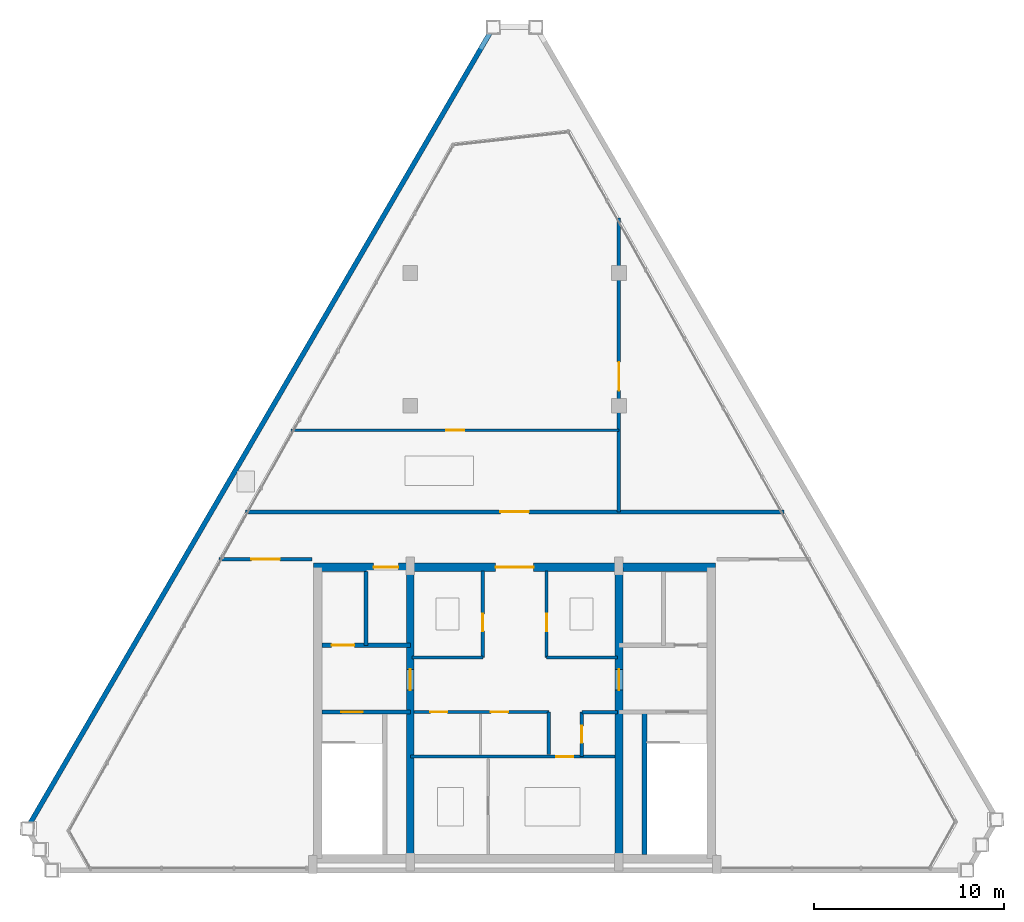
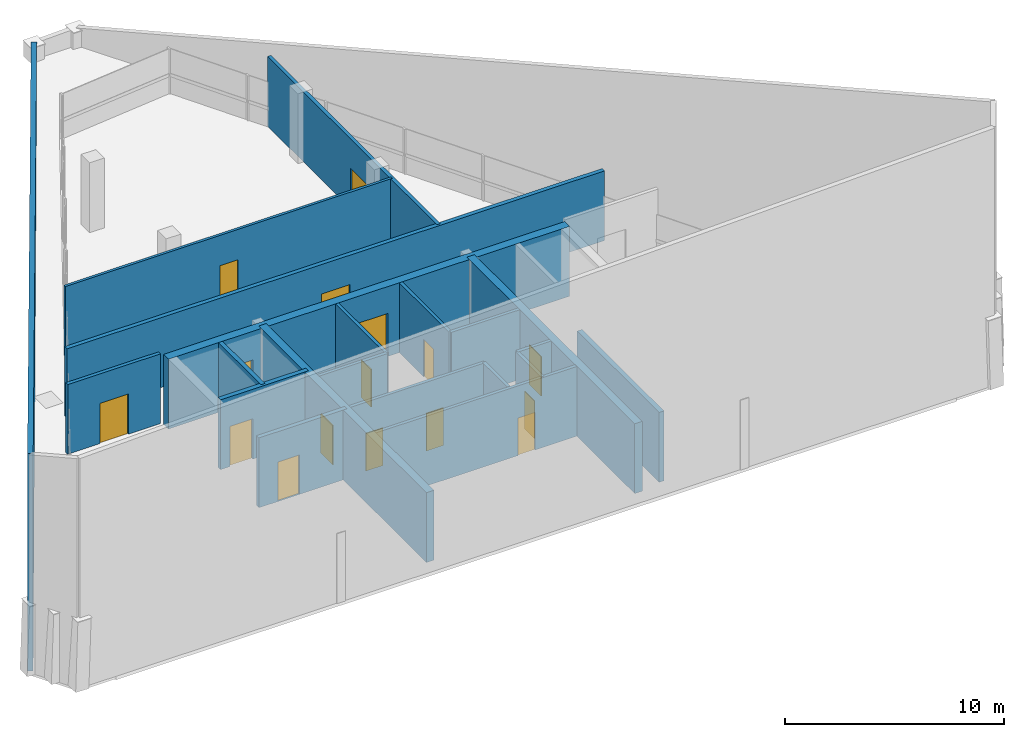
# One storey, part 6 of 8: 21 walls, 16 doors, 16 openings.
"""IFC4 building model written with IfcOpenShell, lengths in metres."""

from ifc_helpers import new_model, si_unit, direction, frame, frame_2d, origin, place, context, subcontext, project, spatial, polyline, rectangle, outline, extrude, source, transform, mapped, material, layer, layer_set, type_object, type_shapes, element, fill, save


model = new_model("IFC4")

# Units and contexts
model_context = context("Model", 3, precision=1e-05, world=origin(), true_north=direction((0.0, 1.0)))
body_context = subcontext(model_context, "Body", "Model", "MODEL_VIEW")
ifc_project = project(units=[si_unit("LENGTHUNIT", "METRE"), si_unit("AREAUNIT", "SQUARE_METRE"), si_unit("VOLUMEUNIT", "CUBIC_METRE"), si_unit("PLANEANGLEUNIT", "RADIAN"), si_unit("MASSUNIT", "GRAM", prefix="KILO")], contexts=[model_context])

# Site, building, storey
site_placement = place(None, origin())
site = spatial("IfcSite", under=ifc_project, at=site_placement, CompositionType="ELEMENT")
building_placement = place(site_placement, origin())
building = spatial("IfcBuilding", under=site, at=building_placement, Name="Varnakhor Terracotta Tower", CompositionType="ELEMENT")
storey_placement = place(building_placement, frame((0.0, 0.0, 329.199951171875)))
storey = spatial("IfcBuildingStorey", under=building, at=storey_placement, Name="L86 Crown", CompositionType="ELEMENT", Elevation=329.199951171875)

# Wall, openings, doors
ifc_material_1 = material(Name="Concrete C50/60", Category="concrete")
ifc_layer_1 = layer(ifc_material_1, 0.449951171875, Name="Concrete C50/60")
ifc_layer_set_1 = layer_set([ifc_layer_1], Name="Concrete C50/60")
wall_type_1 = type_object("IfcWallType", Name="WAL-CORE-450", PredefinedType="SHEAR", material=ifc_layer_set_1)
wall_1_placement = place(storey_placement, frame((-10.60009765625, 15.97509765625, 0.0), z_axis=(0.0, 0.0, 1.0), x_axis=(1.0, 0.0, 0.0)))
wall_1 = element("IfcWall", 1, at=wall_1_placement, inside=storey, type_object=wall_type_1, Name="L86 Crown North Core Shear Wall", PredefinedType="SHEAR", context=body_context, shape_type="SweptSolid", body=[
    extrude(rectangle(XDim=21.2001953125, YDim=0.449951171875, at=frame_2d((10.60009765625, 0.0))), origin(), (0.0, 0.0, 1.0), 3.900146484375),
])
opening_1_placement = place(wall_1_placement, frame((3.169921875, 0.0, 0.0)))
opening_1 = element("IfcOpeningElement", 2, at=opening_1_placement, cuts=wall_1, Name="Opening LD-03", PredefinedType="OPENING", context=body_context, shape_type="SweptSolid", body=[
    extrude(rectangle(XDim=1.300048828125, YDim=2.300048828125, at=frame_2d((0.64990234375, 1.14990234375))), frame((0.0, 0.23486328125, 0.0), z_axis=(0.0, -1.0, 0.0), x_axis=(1.0, 0.0, 0.0)), (0.0, 0.0, 1.0), 0.469970703125),
])
opening_2_placement = place(wall_1_placement, frame((9.60009765625, 0.0, 0.0)))
opening_2 = element("IfcOpeningElement", 3, at=opening_2_placement, cuts=wall_1, Name="Opening DR-32", PredefinedType="OPENING", context=body_context, shape_type="SweptSolid", body=[
    extrude(rectangle(XDim=2.0, YDim=2.39990234375, at=frame_2d((1.0, 1.199951171875))), frame((0.0, 0.23486328125, 0.0), z_axis=(0.0, -1.0, 0.0), x_axis=(1.0, 0.0, 0.0)), (0.0, 0.0, 1.0), 0.469970703125),
])
ifc_material_2 = material(Name="Heavy-Duty Goods Sliding Lift Landing Door", Category="steel")
door_type_1 = type_object("IfcDoorType", Name="LD-SRV-1300X2300", OperationType="NOTDEFINED", PredefinedType="DOOR", material=ifc_material_2)
shared_shape_1 = source(origin(), body_context, "Body", "SweptSolid", [
    extrude(rectangle(XDim=1.300048828125, YDim=2.300048828125, at=frame_2d((0.64990234375, 1.14990234375))), frame((0.0, 0.02490234375, 0.0), z_axis=(0.0, -1.0, 0.0), x_axis=(1.0, 0.0, 0.0)), (0.0, 0.0, 1.0), 0.050048828125),
])
type_shapes(door_type_1, [shared_shape_1])
door_1_placement = place(opening_1_placement, origin())
door_1 = element("IfcDoor", 4, at=door_1_placement, inside=storey, type_object=door_type_1, Name="L86 Crown Service Lift SVL-1 Landing Door", OperationType="SLIDING_TO_RIGHT", OverallHeight=2.300048828125, OverallWidth=1.300048828125, PredefinedType="DOOR", context=body_context, shape_type="MappedRepresentation", body=[
    mapped(shared_shape_1, transform((0.0, 0.0, 0.0), scale=1.0)),
])
fill(opening_1, door_1)
ifc_material_3 = material(Name="Acoustic Double Assembly Fire Door", Category="wood")
door_type_2 = type_object("IfcDoorType", Name="DR-HALL-2000X2400", OperationType="NOTDEFINED", PredefinedType="DOOR", material=ifc_material_3)
shared_shape_2 = source(origin(), body_context, "Body", "SweptSolid", [
    extrude(rectangle(XDim=2.0, YDim=2.39990234375, at=frame_2d((1.0, 1.199951171875))), frame((0.0, 0.02490234375, 0.0), z_axis=(0.0, -1.0, 0.0), x_axis=(1.0, 0.0, 0.0)), (0.0, 0.0, 1.0), 0.050048828125),
])
type_shapes(door_type_2, [shared_shape_2])
door_2_placement = place(opening_2_placement, origin())
door_2 = element("IfcDoor", 5, at=door_2_placement, inside=storey, type_object=door_type_2, Name="L86 Crown Core Main Lobby Double Door", OperationType="DOUBLE_DOOR_SINGLE_SWING", OverallHeight=2.39990234375, OverallWidth=2.0, PredefinedType="DOOR", context=body_context, shape_type="MappedRepresentation", body=[
    mapped(shared_shape_2, transform((0.0, 0.0, 0.0), scale=1.0)),
])
fill(opening_2, door_2)

# Wall, opening, door
ifc_layer_2 = layer(ifc_material_1, 0.39990234375, Name="Concrete C50/60")
ifc_layer_set_2 = layer_set([ifc_layer_2], Name="Concrete C50/60")
wall_type_2 = type_object("IfcWallType", Name="WAL-CORE-WEB-400", PredefinedType="SHEAR", material=ifc_layer_set_2)
wall_2_placement = place(storey_placement, frame((-5.5, 0.625, 0.0), z_axis=(0.0, 0.0, 1.0), x_axis=(0.0, 1.0, 0.0)))
wall_2 = element("IfcWall", 6, at=wall_2_placement, inside=storey, type_object=wall_type_2, Name="L86 Crown West Core Web Shear Wall", PredefinedType="SHEAR", context=body_context, shape_type="SweptSolid", body=[
    extrude(rectangle(XDim=15.35009765625, YDim=0.39990234375, at=frame_2d((7.675048828125, 0.0))), origin(), (0.0, 0.0, 1.0), 3.900146484375),
])
opening_3_placement = place(wall_2_placement, frame((8.875, 0.0, 0.0)))
opening_3 = element("IfcOpeningElement", 7, at=opening_3_placement, cuts=wall_2, Name="Opening DR-25", PredefinedType="OPENING", context=body_context, shape_type="SweptSolid", body=[
    extrude(rectangle(XDim=1.10009765625, YDim=2.199951171875, at=frame_2d((0.550048828125, 1.10009765625))), frame((0.0, 0.2099609375, 0.0), z_axis=(0.0, -1.0, 0.0), x_axis=(1.0, 0.0, 0.0)), (0.0, 0.0, 1.0), 0.419921875),
])
ifc_material_4 = material(Name="Firefighting Lobby Self-Closing Fire Door", Category="steel")
door_type_3 = type_object("IfcDoorType", Name="DR-FFL-1100X2200", OperationType="NOTDEFINED", PredefinedType="DOOR", material=ifc_material_4)
shared_shape_3 = source(origin(), body_context, "Body", "SweptSolid", [
    extrude(rectangle(XDim=1.10009765625, YDim=2.199951171875, at=frame_2d((0.550048828125, 1.10009765625))), frame((0.0, 0.02490234375, 0.0), z_axis=(0.0, -1.0, 0.0), x_axis=(1.0, 0.0, 0.0)), (0.0, 0.0, 1.0), 0.050048828125),
])
type_shapes(door_type_3, [shared_shape_3])
door_3_placement = place(opening_3_placement, origin())
door_3 = element("IfcDoor", 8, at=door_3_placement, inside=storey, type_object=door_type_3, Name="L86 Crown West Firefighting Lobby Door", OperationType="SINGLE_SWING_RIGHT", OverallHeight=2.199951171875, OverallWidth=1.10009765625, PredefinedType="DOOR", context=body_context, shape_type="MappedRepresentation", body=[
    mapped(shared_shape_3, transform((0.0, 0.0, 0.0), scale=1.0)),
])
fill(opening_3, door_3)

wall_3_placement = place(storey_placement, frame((5.5, 0.625, 0.0), z_axis=(0.0, 0.0, 1.0), x_axis=(0.0, 1.0, 0.0)))
wall_3 = element("IfcWall", 9, at=wall_3_placement, inside=storey, type_object=wall_type_2, Name="L86 Crown East Core Web Shear Wall", PredefinedType="SHEAR", context=body_context, shape_type="SweptSolid", body=[
    extrude(rectangle(XDim=15.35009765625, YDim=0.39990234375, at=frame_2d((7.675048828125, 0.0))), origin(), (0.0, 0.0, 1.0), 3.900146484375),
])
opening_4_placement = place(wall_3_placement, frame((8.875, 0.0, 0.0)))
opening_4 = element("IfcOpeningElement", 10, at=opening_4_placement, cuts=wall_3, Name="Opening DR-25", PredefinedType="OPENING", context=body_context, shape_type="SweptSolid", body=[
    extrude(rectangle(XDim=1.10009765625, YDim=2.199951171875, at=frame_2d((0.550048828125, 1.10009765625))), frame((0.0, 0.2099609375, 0.0), z_axis=(0.0, -1.0, 0.0), x_axis=(1.0, 0.0, 0.0)), (0.0, 0.0, 1.0), 0.419921875),
])
door_4_placement = place(opening_4_placement, origin())
door_4 = element("IfcDoor", 11, at=door_4_placement, inside=storey, type_object=door_type_3, Name="L86 Crown East Firefighting Lobby Door", OperationType="SINGLE_SWING_RIGHT", OverallHeight=2.199951171875, OverallWidth=1.10009765625, PredefinedType="DOOR", context=body_context, shape_type="MappedRepresentation", body=[
    mapped(shared_shape_3, transform((0.0, 0.0, 0.0), scale=1.0)),
])
fill(opening_4, door_4)

ifc_material_5 = material(Name="Fire-Rated Gypsum Stud Partition", Category="gypsum")
ifc_layer_3 = layer(ifc_material_5, 0.18505859375, Name="Fire-Rated Gypsum Stud Partition")
ifc_layer_set_3 = layer_set([ifc_layer_3], Name="Fire-Rated Gypsum Stud Partition")
wall_type_3 = type_object("IfcWallType", Name="WAL-CORR-185", PredefinedType="PARTITIONING", material=ifc_layer_set_3)
wall_4_placement = place(storey_placement, frame((-15.59130859375, 16.39990234375, 0.0), z_axis=(0.0, 0.0, 1.0), x_axis=(1.0, 0.0, 0.0)))
wall_4 = element("IfcWall", 12, at=wall_4_placement, inside=storey, type_object=wall_type_3, Name="L86 Crown West Plant Wall", PredefinedType="PARTITIONING", context=body_context, shape_type="SweptSolid", body=[
    extrude(rectangle(XDim=4.911376953125, YDim=0.18505859375, at=frame_2d((2.45556640625, 0.0))), origin(), (0.0, 0.0, 1.0), 3.89501953125),
])
opening_5_placement = place(wall_4_placement, frame((1.705810546875, 0.0, 0.0)))
opening_5 = element("IfcOpeningElement", 13, at=opening_5_placement, cuts=wall_4, Name="Opening DR-30", PredefinedType="OPENING", context=body_context, shape_type="SweptSolid", body=[
    extrude(rectangle(XDim=1.5, YDim=2.25, at=frame_2d((0.75, 1.125))), frame((0.0, 0.1025390625, 0.0), z_axis=(0.0, -1.0, 0.0), x_axis=(1.0, 0.0, 0.0)), (0.0, 0.0, 1.0), 0.205078125),
])
ifc_material_6 = material(Name="Double Acoustic Conference Room Door", Category="wood")
door_type_4 = type_object("IfcDoorType", Name="DR-MEET-1500X2250", OperationType="NOTDEFINED", PredefinedType="DOOR", material=ifc_material_6)
shared_shape_4 = source(origin(), body_context, "Body", "SweptSolid", [
    extrude(rectangle(XDim=1.5, YDim=2.25, at=frame_2d((0.75, 1.125))), frame((0.0, 0.02490234375, 0.0), z_axis=(0.0, -1.0, 0.0), x_axis=(1.0, 0.0, 0.0)), (0.0, 0.0, 1.0), 0.050048828125),
])
type_shapes(door_type_4, [shared_shape_4])
door_5_placement = place(opening_5_placement, origin())
door_5 = element("IfcDoor", 14, at=door_5_placement, inside=storey, type_object=door_type_4, Name="L86 Crown West Mechanical Room Door", OperationType="DOUBLE_DOOR_SINGLE_SWING", OverallHeight=2.25, OverallWidth=1.5, PredefinedType="DOOR", context=body_context, shape_type="MappedRepresentation", body=[
    mapped(shared_shape_4, transform((0.0, 0.0, 0.0), scale=1.0)),
])
fill(opening_5, door_5)

wall_5_placement = place(storey_placement, frame((5.5, 18.89990234375, 0.0), z_axis=(0.0, 0.0, 1.0), x_axis=(0.0, 1.0, 0.0)))
wall_5 = element("IfcWall", 15, at=wall_5_placement, inside=storey, type_object=wall_type_3, Name="L86 Crown Crown Plant Division Wall", PredefinedType="PARTITIONING", context=body_context, shape_type="SweptSolid", body=[
    extrude(rectangle(XDim=15.50830078125, YDim=0.18505859375, at=frame_2d((7.754150390625, 0.0))), origin(), (0.0, 0.0, 1.0), 3.89501953125),
])
opening_6_placement = place(wall_5_placement, frame((6.39990234375, 0.0, 0.0)))
opening_6 = element("IfcOpeningElement", 16, at=opening_6_placement, cuts=wall_5, Name="Opening DR-30", PredefinedType="OPENING", context=body_context, shape_type="SweptSolid", body=[
    extrude(rectangle(XDim=1.5, YDim=2.25, at=frame_2d((0.75, 1.125))), frame((0.0, 0.1025390625, 0.0), z_axis=(0.0, -1.0, 0.0), x_axis=(1.0, 0.0, 0.0)), (0.0, 0.0, 1.0), 0.205078125),
])
door_6_placement = place(opening_6_placement, origin())
door_6 = element("IfcDoor", 17, at=door_6_placement, inside=storey, type_object=door_type_4, Name="L86 Crown Crown Plant Door", OperationType="DOUBLE_DOOR_SINGLE_SWING", OverallHeight=2.25, OverallWidth=1.5, PredefinedType="DOOR", context=body_context, shape_type="MappedRepresentation", body=[
    mapped(shared_shape_4, transform((0.0, 0.0, 0.0), scale=1.0)),
])
fill(opening_6, door_6)

ifc_material_7 = material(Name="Concrete C40/50", Category="concrete")
ifc_layer_4 = layer(ifc_material_7, 0.219970703125, Name="Concrete C40/50")
ifc_layer_set_4 = layer_set([ifc_layer_4], Name="Concrete C40/50")
wall_type_4 = type_object("IfcWallType", Name="WAL-FFLOBBY-220", PredefinedType="SOLIDWALL", material=ifc_layer_set_4)
wall_6_placement = place(storey_placement, frame((-5.5, 8.35009765625, 0.0), z_axis=(0.0, 0.0, 1.0), x_axis=(-1.0, 0.0, 0.0)))
wall_6 = element("IfcWall", 18, at=wall_6_placement, inside=storey, type_object=wall_type_4, Name="L86 Crown West Firefighting Lobby Stair Wall", PredefinedType="SOLIDWALL", context=body_context, shape_type="SweptSolid", body=[
    extrude(rectangle(XDim=4.64990234375, YDim=0.219970703125, at=frame_2d((2.324951171875, 0.0))), origin(), (0.0, 0.0, 1.0), 3.900146484375),
])
opening_7_placement = place(wall_6_placement, frame((2.5, 0.0, 0.0)))
opening_7 = element("IfcOpeningElement", 19, at=opening_7_placement, cuts=wall_6, Name="Opening DR-34", PredefinedType="OPENING", context=body_context, shape_type="SweptSolid", body=[
    extrude(rectangle(XDim=1.14990234375, YDim=2.199951171875, at=frame_2d((0.574951171875, 1.10009765625))), frame((0.0, 0.1201171875, 0.0), z_axis=(0.0, -1.0, 0.0), x_axis=(1.0, 0.0, 0.0)), (0.0, 0.0, 1.0), 0.239990234375),
])
ifc_material_8 = material(Name="Self-Closing Smoke-Sealed Steel Fire Door", Category="steel")
door_type_5 = type_object("IfcDoorType", Name="DR-STAIR-1150X2200", OperationType="NOTDEFINED", PredefinedType="DOOR", material=ifc_material_8)
shared_shape_5 = source(origin(), body_context, "Body", "SweptSolid", [
    extrude(rectangle(XDim=1.14990234375, YDim=2.199951171875, at=frame_2d((0.574951171875, 1.10009765625))), frame((0.0, 0.02490234375, 0.0), z_axis=(0.0, -1.0, 0.0), x_axis=(1.0, 0.0, 0.0)), (0.0, 0.0, 1.0), 0.050048828125),
])
type_shapes(door_type_5, [shared_shape_5])
door_7_placement = place(opening_7_placement, origin())
door_7 = element("IfcDoor", 20, at=door_7_placement, inside=storey, type_object=door_type_5, Name="L86 Crown Exit Stair ST-1 Fire Door", OperationType="SINGLE_SWING_LEFT", OverallHeight=2.199951171875, OverallWidth=1.14990234375, PredefinedType="DOOR", context=body_context, shape_type="MappedRepresentation", body=[
    mapped(shared_shape_5, transform((0.0, 0.0, 0.0), scale=1.0)),
])
fill(opening_7, door_7)

wall_7_placement = place(storey_placement, frame((-14.1904296875, 18.89990234375, 0.0), z_axis=(0.0, 0.0, 1.0), x_axis=(1.0, 0.0, 0.0)))
wall_7 = element("IfcWall", 21, at=wall_7_placement, inside=storey, type_object=wall_type_4, Name="L86 Crown Plant Corridor Wall", PredefinedType="SOLIDWALL", context=body_context, shape_type="SweptSolid", body=[
    extrude(rectangle(XDim=28.380859375, YDim=0.219970703125, at=frame_2d((14.1904296875, 0.0))), origin(), (0.0, 0.0, 1.0), 3.89501953125),
])
opening_8_placement = place(wall_7_placement, frame((13.4404296875, 0.0, 0.0)))
opening_8 = element("IfcOpeningElement", 22, at=opening_8_placement, cuts=wall_7, Name="Opening DR-30", PredefinedType="OPENING", context=body_context, shape_type="SweptSolid", body=[
    extrude(rectangle(XDim=1.5, YDim=2.25, at=frame_2d((0.75, 1.125))), frame((0.0, 0.1201171875, 0.0), z_axis=(0.0, -1.0, 0.0), x_axis=(1.0, 0.0, 0.0)), (0.0, 0.0, 1.0), 0.239990234375),
])
door_8_placement = place(opening_8_placement, origin())
door_8 = element("IfcDoor", 23, at=door_8_placement, inside=storey, type_object=door_type_4, Name="L86 Crown North Plant Access Door", OperationType="DOUBLE_DOOR_SINGLE_SWING", OverallHeight=2.25, OverallWidth=1.5, PredefinedType="DOOR", context=body_context, shape_type="MappedRepresentation", body=[
    mapped(shared_shape_4, transform((0.0, 0.0, 0.0), scale=1.0)),
])
fill(opening_8, door_8)

# Wall
ifc_material_9 = material(Name="Extruded Architectural Terracotta Parapet", Category="masonry")
ifc_layer_5 = layer(ifc_material_9, 0.260009765625, Name="Extruded Architectural Terracotta Parapet")
ifc_layer_set_5 = layer_set([ifc_layer_5], Name="Extruded Architectural Terracotta Parapet")
wall_type_5 = type_object("IfcWallType", Name="WAL-PARAPET-260", PredefinedType="PARAPET", material=ifc_layer_set_5)
wall_8_placement = place(storey_placement, frame((-25.7177734375, 2.192138671875, 0.0), z_axis=(0.0, 0.0, 1.0), x_axis=(0.502905511549, 0.86434139462, 0.0)))
element("IfcWall", 24, at=wall_8_placement, inside=storey, type_object=wall_type_5, Name="Crown Sloped Terracotta Closure Wall 1", PredefinedType="PARAPET", context=body_context, shape_type="SweptSolid", body=[
    extrude(outline(polyline([(0.0, 0.0), (48.9111328125, 0.0), (48.910888671875, 0.895263671875), (0.0, 12.15673828125), (0.0, 0.0)])), frame((0.0, 0.1298828125, 0.0), z_axis=(0.0, -1.0, 0.0), x_axis=(1.0, 0.0, 0.0)), (0.0, 0.0, 1.0), 0.260009765625),
])

# Wall, opening, door
ifc_material_10 = material(Name="Acoustic Metal-Stud Partition", Category="gypsum")
ifc_layer_6 = layer(ifc_material_10, 0.139892578125, Name="Acoustic Metal-Stud Partition")
ifc_layer_set_6 = layer_set([ifc_layer_6], Name="Acoustic Metal-Stud Partition")
wall_type_6 = type_object("IfcWallType", Name="WAL-PART-140", PredefinedType="PARTITIONING", material=ifc_layer_set_6)
wall_9_placement = place(storey_placement, frame((-11.78076171875, 23.199951171875, 0.0), z_axis=(0.0, 0.0, 1.0), x_axis=(1.0, 0.0, 0.0)))
wall_9 = element("IfcWall", 25, at=wall_9_placement, inside=storey, type_object=wall_type_6, Name="L86 Crown Crown Sub-Plant Wall", PredefinedType="PARTITIONING", context=body_context, shape_type="SweptSolid", body=[
    extrude(rectangle(XDim=17.28076171875, YDim=0.139892578125, at=frame_2d((8.640380859375, 0.0))), origin(), (0.0, 0.0, 1.0), 3.89501953125),
])
opening_9_placement = place(wall_9_placement, frame((8.165283203125, 0.0, 0.0)))
opening_9 = element("IfcOpeningElement", 26, at=opening_9_placement, cuts=wall_9, Name="Opening DR-94", PredefinedType="OPENING", context=body_context, shape_type="SweptSolid", body=[
    extrude(rectangle(XDim=0.949951171875, YDim=2.199951171875, at=frame_2d((0.47509765625, 1.10009765625))), frame((0.0, 0.080078125, 0.0), z_axis=(0.0, -1.0, 0.0), x_axis=(1.0, 0.0, 0.0)), (0.0, 0.0, 1.0), 0.159912109375),
])
ifc_material_11 = material(Name="Acoustic Glazed-Vision Timber Office Door", Category="wood")
door_type_6 = type_object("IfcDoorType", Name="DR-OFF-950X2200", OperationType="NOTDEFINED", PredefinedType="DOOR", material=ifc_material_11)
shared_shape_6 = source(origin(), body_context, "Body", "SweptSolid", [
    extrude(rectangle(XDim=0.949951171875, YDim=2.199951171875, at=frame_2d((0.47509765625, 1.10009765625))), frame((0.0, 0.02490234375, 0.0), z_axis=(0.0, -1.0, 0.0), x_axis=(1.0, 0.0, 0.0)), (0.0, 0.0, 1.0), 0.050048828125),
])
type_shapes(door_type_6, [shared_shape_6])
door_9_placement = place(opening_9_placement, origin())
door_9 = element("IfcDoor", 27, at=door_9_placement, inside=storey, type_object=door_type_6, Name="L86 Crown Crown Aux Door", OperationType="SINGLE_SWING_RIGHT", OverallHeight=2.199951171875, OverallWidth=0.949951171875, PredefinedType="DOOR", context=body_context, shape_type="MappedRepresentation", body=[
    mapped(shared_shape_6, transform((0.0, 0.0, 0.0), scale=1.0)),
])
fill(opening_9, door_9)

# Wall
ifc_layer_7 = layer(ifc_material_7, 0.219970703125, Name="Concrete C40/50")
ifc_layer_set_7 = layer_set([ifc_layer_7], Name="Concrete C40/50")
wall_type_7 = type_object("IfcWallType", Name="WAL-SHAFT-220", PredefinedType="SOLIDWALL", material=ifc_layer_set_7)
wall_10_placement = place(storey_placement, frame((-7.840087890625, 11.8701171875, 0.0), z_axis=(0.0, 0.0, 1.0), x_axis=(0.0, 1.0, 0.0)))
element("IfcWall", 28, at=wall_10_placement, inside=storey, type_object=wall_type_7, Name="L86 Crown Lift FFL-1 and SVL-1 Divider Wall", PredefinedType="SOLIDWALL", context=body_context, shape_type="SweptSolid", body=[
    extrude(rectangle(XDim=3.8798828125, YDim=0.219970703125, at=frame_2d((1.93994140625, 0.0))), origin(), (0.0, 0.0, 1.0), 3.900146484375),
])

# Wall, opening, door
ifc_layer_8 = layer(ifc_material_7, 0.25, Name="Concrete C40/50")
ifc_layer_set_8 = layer_set([ifc_layer_8], Name="Concrete C40/50")
wall_type_8 = type_object("IfcWallType", Name="WAL-SHAFT-250", PredefinedType="SOLIDWALL", material=ifc_layer_set_8)
wall_11_placement = place(storey_placement, frame((-5.5, 11.8701171875, 0.0), z_axis=(0.0, 0.0, 1.0), x_axis=(-1.0, 0.0, 0.0)))
wall_11 = element("IfcWall", 29, at=wall_11_placement, inside=storey, type_object=wall_type_8, Name="L86 Crown Lift FFL-1 Shaft Front Wall", PredefinedType="SOLIDWALL", context=body_context, shape_type="SweptSolid", body=[
    extrude(rectangle(XDim=4.64990234375, YDim=0.25, at=frame_2d((2.324951171875, 0.0))), origin(), (0.0, 0.0, 1.0), 3.900146484375),
])
opening_10_placement = place(wall_11_placement, frame((2.949951171875, 0.0, 0.0)))
opening_10 = element("IfcOpeningElement", 30, at=opening_10_placement, cuts=wall_11, Name="Opening LD-02", PredefinedType="OPENING", context=body_context, shape_type="SweptSolid", body=[
    extrude(rectangle(XDim=1.199951171875, YDim=2.25, at=frame_2d((0.60009765625, 1.125))), frame((0.0, 0.135009765625, 0.0), z_axis=(0.0, -1.0, 0.0), x_axis=(1.0, 0.0, 0.0)), (0.0, 0.0, 1.0), 0.27001953125),
])
ifc_material_12 = material(Name="Firefighting Stretcher Sliding Lift Landing Door", Category="steel")
door_type_7 = type_object("IfcDoorType", Name="LD-FFL-1200X2250", OperationType="NOTDEFINED", PredefinedType="DOOR", material=ifc_material_12)
shared_shape_7 = source(origin(), body_context, "Body", "SweptSolid", [
    extrude(rectangle(XDim=1.199951171875, YDim=2.25, at=frame_2d((0.60009765625, 1.125))), frame((0.0, 0.02490234375, 0.0), z_axis=(0.0, -1.0, 0.0), x_axis=(1.0, 0.0, 0.0)), (0.0, 0.0, 1.0), 0.050048828125),
])
type_shapes(door_type_7, [shared_shape_7])
door_10_placement = place(opening_10_placement, origin())
door_10 = element("IfcDoor", 31, at=door_10_placement, inside=storey, type_object=door_type_7, Name="L86 Crown Firefighting Lift FFL-1 Landing Door", OperationType="SLIDING_TO_LEFT", OverallHeight=2.25, OverallWidth=1.199951171875, PredefinedType="DOOR", context=body_context, shape_type="MappedRepresentation", body=[
    mapped(shared_shape_7, transform((0.0, 0.0, 0.0), scale=1.0)),
])
fill(opening_10, door_10)

# Wall
wall_12_placement = place(storey_placement, frame((6.85009765625, 0.85009765625, 0.0), z_axis=(0.0, 0.0, 1.0), x_axis=(0.0, 1.0, 0.0)))
element("IfcWall", 32, at=wall_12_placement, inside=storey, type_object=wall_type_8, Name="L86 Crown Stair ST-2 Bearing Shaft Wall", PredefinedType="SOLIDWALL", context=body_context, shape_type="SweptSolid", body=[
    extrude(rectangle(XDim=7.5, YDim=0.25, at=frame_2d((3.75, 0.0))), origin(), (0.0, 0.0, 1.0), 3.900146484375),
])

# Wall, opening, door
ifc_material_13 = material(Name="Acoustic Fire-Rated Partition", Category="gypsum")
ifc_layer_9 = layer(ifc_material_13, 0.1650390625, Name="Acoustic Fire-Rated Partition")
ifc_layer_set_9 = layer_set([ifc_layer_9], Name="Acoustic Fire-Rated Partition")
wall_type_9 = type_object("IfcWallType", Name="WAL-TENANCY-165", PredefinedType="PARTITIONING", material=ifc_layer_set_9)
wall_13_placement = place(storey_placement, frame((-5.5, 6.0, 0.0), z_axis=(0.0, 0.0, 1.0), x_axis=(1.0, 0.0, 0.0)))
wall_13 = element("IfcWall", 33, at=wall_13_placement, inside=storey, type_object=wall_type_9, Name="L86 Crown Reclaimed Core Bay North Rated Wall", PredefinedType="PARTITIONING", context=body_context, shape_type="SweptSolid", body=[
    extrude(rectangle(XDim=10.800048828125, YDim=0.1650390625, at=frame_2d((5.39990234375, 0.0))), origin(), (0.0, 0.0, 1.0), 3.89501953125),
])
opening_11_placement = place(wall_13_placement, frame((7.699951171875, 0.0, 0.0)))
opening_11 = element("IfcOpeningElement", 34, at=opening_11_placement, cuts=wall_13, Name="Opening DR-67", PredefinedType="OPENING", context=body_context, shape_type="SweptSolid", body=[
    extrude(rectangle(XDim=0.89990234375, YDim=2.10009765625, at=frame_2d((0.449951171875, 1.050048828125))), frame((0.0, 0.092529296875, 0.0), z_axis=(0.0, -1.0, 0.0), x_axis=(1.0, 0.0, 0.0)), (0.0, 0.0, 1.0), 0.18505859375),
])
ifc_material_14 = material(Name="Steel Service Riser Fire Door", Category="steel")
door_type_8 = type_object("IfcDoorType", Name="DR-RISER-900X2100", OperationType="NOTDEFINED", PredefinedType="DOOR", material=ifc_material_14)
shared_shape_8 = source(origin(), body_context, "Body", "SweptSolid", [
    extrude(rectangle(XDim=0.89990234375, YDim=2.10009765625, at=frame_2d((0.449951171875, 1.050048828125))), frame((0.0, 0.02490234375, 0.0), z_axis=(0.0, -1.0, 0.0), x_axis=(1.0, 0.0, 0.0)), (0.0, 0.0, 1.0), 0.050048828125),
])
type_shapes(door_type_8, [shared_shape_8])
door_11_placement = place(opening_11_placement, origin())
door_11 = element("IfcDoor", 35, at=door_11_placement, inside=storey, type_object=door_type_8, Name="L86 Crown Core Reclaimed Suite Door", OperationType="SINGLE_SWING_LEFT", OverallHeight=2.10009765625, OverallWidth=0.89990234375, PredefinedType="DOOR", context=body_context, shape_type="MappedRepresentation", body=[
    mapped(shared_shape_8, transform((0.0, 0.0, 0.0), scale=1.0)),
])
fill(opening_11, door_11)

wall_14_placement = place(storey_placement, frame((3.5400390625, 6.0, 0.0), z_axis=(0.0, 0.0, 1.0), x_axis=(0.0, 1.0, 0.0)))
wall_14 = element("IfcWall", 36, at=wall_14_placement, inside=storey, type_object=wall_type_9, Name="L86 Crown Accessible WC Rated Wall", PredefinedType="PARTITIONING", context=body_context, shape_type="SweptSolid", body=[
    extrude(rectangle(XDim=2.340087890625, YDim=0.1650390625, at=frame_2d((1.169921875, 0.0))), origin(), (0.0, 0.0, 1.0), 3.89501953125),
])
opening_12_placement = place(wall_14_placement, frame((0.719970703125, 0.0, 0.0)))
opening_12 = element("IfcOpeningElement", 37, at=opening_12_placement, cuts=wall_14, Name="Opening DR-67", PredefinedType="OPENING", context=body_context, shape_type="SweptSolid", body=[
    extrude(rectangle(XDim=0.89990234375, YDim=2.10009765625, at=frame_2d((0.449951171875, 1.050048828125))), frame((0.0, 0.092529296875, 0.0), z_axis=(0.0, -1.0, 0.0), x_axis=(1.0, 0.0, 0.0)), (0.0, 0.0, 1.0), 0.18505859375),
])
door_12_placement = place(opening_12_placement, origin())
door_12 = element("IfcDoor", 38, at=door_12_placement, inside=storey, type_object=door_type_8, Name="L86 Crown Accessible WC Door", OperationType="SINGLE_SWING_LEFT", OverallHeight=2.10009765625, OverallWidth=0.89990234375, PredefinedType="DOOR", context=body_context, shape_type="MappedRepresentation", body=[
    mapped(shared_shape_8, transform((0.0, 0.0, 0.0), scale=1.0)),
])
fill(opening_12, door_12)

# Wall
wall_15_placement = place(storey_placement, frame((3.5400390625, 8.340087890625, 0.0), z_axis=(0.0, 0.0, 1.0), x_axis=(1.0, 0.0, 0.0)))
element("IfcWall", 39, at=wall_15_placement, inside=storey, type_object=wall_type_9, Name="L86 Crown Accessible WC North Wall", PredefinedType="PARTITIONING", context=body_context, shape_type="SweptSolid", body=[
    extrude(rectangle(XDim=1.8798828125, YDim=0.1650390625, at=frame_2d((0.93994140625, 0.0))), origin(), (0.0, 0.0, 1.0), 3.89501953125),
])

# Wall, openings, doors
wall_16_placement = place(storey_placement, frame((-5.300048828125, 8.35009765625, 0.0), z_axis=(0.0, 0.0, 1.0), x_axis=(1.0, 0.0, 0.0)))
wall_16 = element("IfcWall", 40, at=wall_16_placement, inside=storey, type_object=wall_type_9, Name="L86 Crown Reclaimed Mid-Core North Wall", PredefinedType="PARTITIONING", context=body_context, shape_type="SweptSolid", body=[
    extrude(rectangle(XDim=7.1201171875, YDim=0.1650390625, at=frame_2d((3.56005859375, 0.0))), origin(), (0.0, 0.0, 1.0), 3.89501953125),
])
opening_13_placement = place(wall_16_placement, frame((0.85009765625, 0.0, 0.0)))
opening_13 = element("IfcOpeningElement", 41, at=opening_13_placement, cuts=wall_16, Name="Opening DR-67", PredefinedType="OPENING", context=body_context, shape_type="SweptSolid", body=[
    extrude(rectangle(XDim=0.89990234375, YDim=2.10009765625, at=frame_2d((0.449951171875, 1.050048828125))), frame((0.0, 0.092529296875, 0.0), z_axis=(0.0, -1.0, 0.0), x_axis=(1.0, 0.0, 0.0)), (0.0, 0.0, 1.0), 0.18505859375),
])
opening_14_placement = place(wall_16_placement, frame((4.050048828125, 0.0, 0.0)))
opening_14 = element("IfcOpeningElement", 42, at=opening_14_placement, cuts=wall_16, Name="Opening DR-67", PredefinedType="OPENING", context=body_context, shape_type="SweptSolid", body=[
    extrude(rectangle(XDim=0.89990234375, YDim=2.10009765625, at=frame_2d((0.449951171875, 1.050048828125))), frame((0.0, 0.092529296875, 0.0), z_axis=(0.0, -1.0, 0.0), x_axis=(1.0, 0.0, 0.0)), (0.0, 0.0, 1.0), 0.18505859375),
])
door_13_placement = place(opening_13_placement, origin())
door_13 = element("IfcDoor", 43, at=door_13_placement, inside=storey, type_object=door_type_8, Name="L86 Crown Core West Restroom Door", OperationType="SINGLE_SWING_RIGHT", OverallHeight=2.10009765625, OverallWidth=0.89990234375, PredefinedType="DOOR", context=body_context, shape_type="MappedRepresentation", body=[
    mapped(shared_shape_8, transform((0.0, 0.0, 0.0), scale=1.0)),
])
fill(opening_13, door_13)
door_14_placement = place(opening_14_placement, origin())
door_14 = element("IfcDoor", 44, at=door_14_placement, inside=storey, type_object=door_type_8, Name="L86 Crown Core East Restroom Door", OperationType="SINGLE_SWING_LEFT", OverallHeight=2.10009765625, OverallWidth=0.89990234375, PredefinedType="DOOR", context=body_context, shape_type="MappedRepresentation", body=[
    mapped(shared_shape_8, transform((0.0, 0.0, 0.0), scale=1.0)),
])
fill(opening_14, door_14)

# Wall
wall_17_placement = place(storey_placement, frame((1.800048828125, 6.10009765625, 0.0), z_axis=(0.0, 0.0, 1.0), x_axis=(0.0, 1.0, 0.0)))
element("IfcWall", 45, at=wall_17_placement, inside=storey, type_object=wall_type_9, Name="L86 Crown Reclaimed Mid-Core East Wall", PredefinedType="PARTITIONING", context=body_context, shape_type="SweptSolid", body=[
    extrude(rectangle(XDim=2.25, YDim=0.1650390625, at=frame_2d((1.125, 0.0))), origin(), (0.0, 0.0, 1.0), 3.89501953125),
])

# Wall, opening, door
wall_18_placement = place(storey_placement, frame((-1.679931640625, 11.219970703125, 0.0), z_axis=(0.0, 0.0, 1.0), x_axis=(0.0, 1.0, 0.0)))
wall_18 = element("IfcWall", 46, at=wall_18_placement, inside=storey, type_object=wall_type_9, Name="L86 Crown Core North West Rated Wall", PredefinedType="PARTITIONING", context=body_context, shape_type="SweptSolid", body=[
    extrude(rectangle(XDim=4.56005859375, YDim=0.1650390625, at=frame_2d((2.280029296875, 0.0))), origin(), (0.0, 0.0, 1.0), 3.89501953125),
])
opening_15_placement = place(wall_18_placement, frame((1.39990234375, 0.0, 0.0)))
opening_15 = element("IfcOpeningElement", 47, at=opening_15_placement, cuts=wall_18, Name="Opening DR-67", PredefinedType="OPENING", context=body_context, shape_type="SweptSolid", body=[
    extrude(rectangle(XDim=0.89990234375, YDim=2.10009765625, at=frame_2d((0.449951171875, 1.050048828125))), frame((0.0, 0.092529296875, 0.0), z_axis=(0.0, -1.0, 0.0), x_axis=(1.0, 0.0, 0.0)), (0.0, 0.0, 1.0), 0.18505859375),
])
door_15_placement = place(opening_15_placement, origin())
door_15 = element("IfcDoor", 48, at=door_15_placement, inside=storey, type_object=door_type_8, Name="L86 Crown Lift Motor Room Door", OperationType="SINGLE_SWING_RIGHT", OverallHeight=2.10009765625, OverallWidth=0.89990234375, PredefinedType="DOOR", context=body_context, shape_type="MappedRepresentation", body=[
    mapped(shared_shape_8, transform((0.0, 0.0, 0.0), scale=1.0)),
])
fill(opening_15, door_15)

# Wall
wall_19_placement = place(storey_placement, frame((-5.419921875, 11.219970703125, 0.0), z_axis=(0.0, 0.0, 1.0), x_axis=(1.0, 0.0, 0.0)))
element("IfcWall", 49, at=wall_19_placement, inside=storey, type_object=wall_type_9, Name="L86 Crown Core North West South Wall", PredefinedType="PARTITIONING", context=body_context, shape_type="SweptSolid", body=[
    extrude(rectangle(XDim=3.739990234375, YDim=0.1650390625, at=frame_2d((1.8701171875, 0.0))), origin(), (0.0, 0.0, 1.0), 3.89501953125),
])

# Wall, opening, door
wall_20_placement = place(storey_placement, frame((1.679931640625, 11.219970703125, 0.0), z_axis=(0.0, 0.0, 1.0), x_axis=(0.0, 1.0, 0.0)))
wall_20 = element("IfcWall", 50, at=wall_20_placement, inside=storey, type_object=wall_type_9, Name="L86 Crown Core North East Rated Wall", PredefinedType="PARTITIONING", context=body_context, shape_type="SweptSolid", body=[
    extrude(rectangle(XDim=4.56005859375, YDim=0.1650390625, at=frame_2d((2.280029296875, 0.0))), origin(), (0.0, 0.0, 1.0), 3.89501953125),
])
opening_16_placement = place(wall_20_placement, frame((1.39990234375, 0.0, 0.0)))
opening_16 = element("IfcOpeningElement", 51, at=opening_16_placement, cuts=wall_20, Name="Opening DR-67", PredefinedType="OPENING", context=body_context, shape_type="SweptSolid", body=[
    extrude(rectangle(XDim=0.89990234375, YDim=2.10009765625, at=frame_2d((0.449951171875, 1.050048828125))), frame((0.0, 0.092529296875, 0.0), z_axis=(0.0, -1.0, 0.0), x_axis=(1.0, 0.0, 0.0)), (0.0, 0.0, 1.0), 0.18505859375),
])
door_16_placement = place(opening_16_placement, origin())
door_16 = element("IfcDoor", 52, at=door_16_placement, inside=storey, type_object=door_type_8, Name="L86 Crown Control Room Door", OperationType="SINGLE_SWING_LEFT", OverallHeight=2.10009765625, OverallWidth=0.89990234375, PredefinedType="DOOR", context=body_context, shape_type="MappedRepresentation", body=[
    mapped(shared_shape_8, transform((0.0, 0.0, 0.0), scale=1.0)),
])
fill(opening_16, door_16)

# Wall
wall_21_placement = place(storey_placement, frame((1.679931640625, 11.219970703125, 0.0), z_axis=(0.0, 0.0, 1.0), x_axis=(1.0, 0.0, 0.0)))
element("IfcWall", 53, at=wall_21_placement, inside=storey, type_object=wall_type_9, Name="L86 Crown Core North East South Wall", PredefinedType="PARTITIONING", context=body_context, shape_type="SweptSolid", body=[
    extrude(rectangle(XDim=3.739990234375, YDim=0.1650390625, at=frame_2d((1.8701171875, 0.0))), origin(), (0.0, 0.0, 1.0), 3.89501953125),
])

save(model, "model.ifc")
